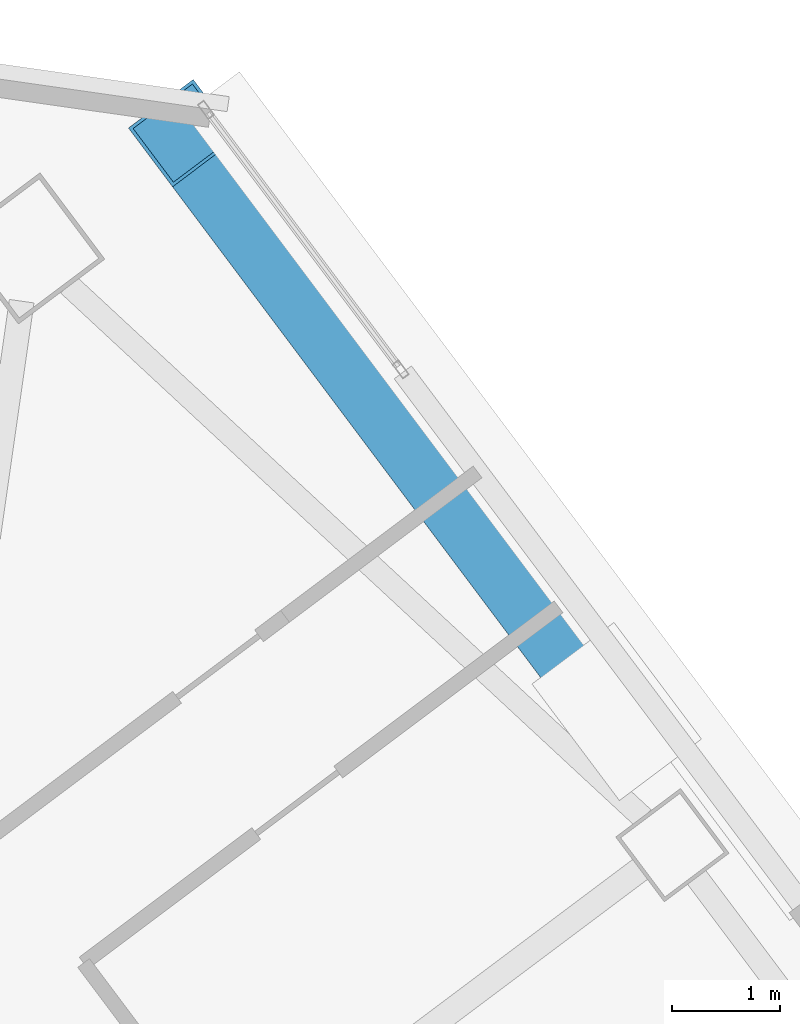
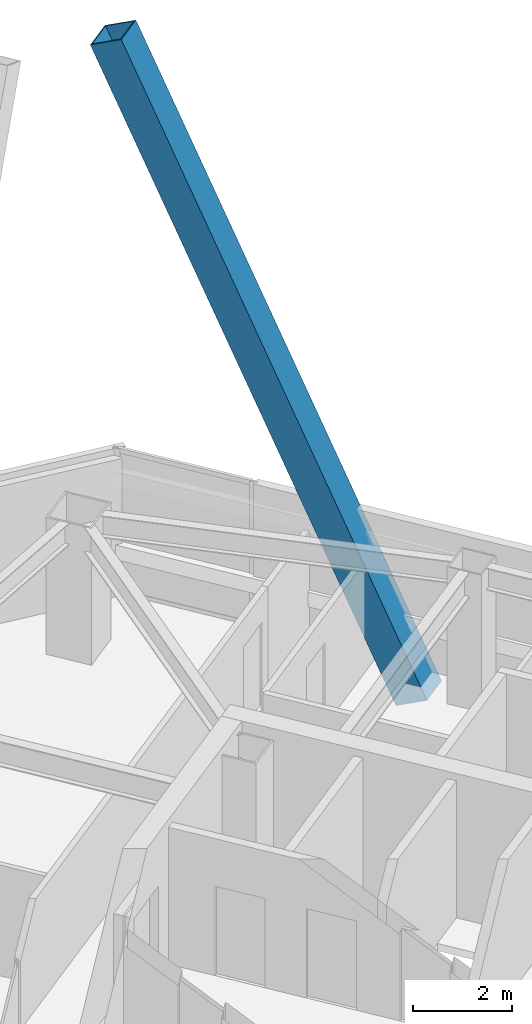
# One storey, part 43 of 56: 1 member.
"""IFC4 building model written with IfcOpenShell, lengths in metres."""

from ifc_helpers import new_model, si_unit, direction, frame, origin, origin_2d, place, context, subcontext, project, spatial, hollow_rectangle, extrude, material, material_profile, profile_set, type_object, element, save


model = new_model("IFC4")

# Units and contexts
model_context = context("Model", 3, precision=1e-05, world=origin(), true_north=direction((0.0, 1.0)))
body_context = subcontext(model_context, "Body", "Model", "MODEL_VIEW")
ifc_project = project(units=[si_unit("LENGTHUNIT", "METRE"), si_unit("AREAUNIT", "SQUARE_METRE"), si_unit("VOLUMEUNIT", "CUBIC_METRE"), si_unit("PLANEANGLEUNIT", "RADIAN"), si_unit("MASSUNIT", "GRAM", prefix="KILO")], contexts=[model_context])

# Site, building, storey
site_placement = place(None, origin())
site = spatial("IfcSite", under=ifc_project, at=site_placement, CompositionType="ELEMENT")
building_placement = place(site_placement, origin())
building = spatial("IfcBuilding", under=site, at=building_placement, Name="Tashvorn Skyway Center", CompositionType="ELEMENT")
storey_placement = place(building_placement, frame((0.0, 0.0, 218.39990234375)))
storey = spatial("IfcBuildingStorey", under=building, at=storey_placement, Name="L59", CompositionType="ELEMENT", Elevation=218.39990234375)

# Member
ifc_material = material(Name="Steel ASTM A572 Grade 50", Category="steel")
ifc_material_profile = material_profile(ifc_material, hollow_rectangle(XDim=0.75, YDim=0.75, WallThickness=0.031982421875, at=origin_2d()), Name="BOX750x750x32")
ifc_profile_set = profile_set([ifc_material_profile], Name="Steel ASTM A572 Grade 50")
member_type = type_object("IfcMemberType", Name="MEM-MB-750", PredefinedType="BRACE", material=ifc_profile_set)
member_placement = place(storey_placement, frame((122.1240234375, 46.468017578125, -0.449951171875), z_axis=(-0.252821477132, 0.337085066741, 0.906893024828), x_axis=(-0.799991254452, -0.600011660554, 0.0)))
element("IfcMember", 1, at=member_placement, inside=storey, type_object=member_type, Name="Tower 2 Zone 5 E Chevron Mega-Brace R2", PredefinedType="BRACE", context=body_context, shape_type="SweptSolid", body=[
    extrude(hollow_rectangle(XDim=0.75, YDim=0.75, WallThickness=0.031982421875, at=origin_2d()), origin(), (0.0, 0.0, 1.0), 15.900634765625),
])

save(model, "model.ifc")
